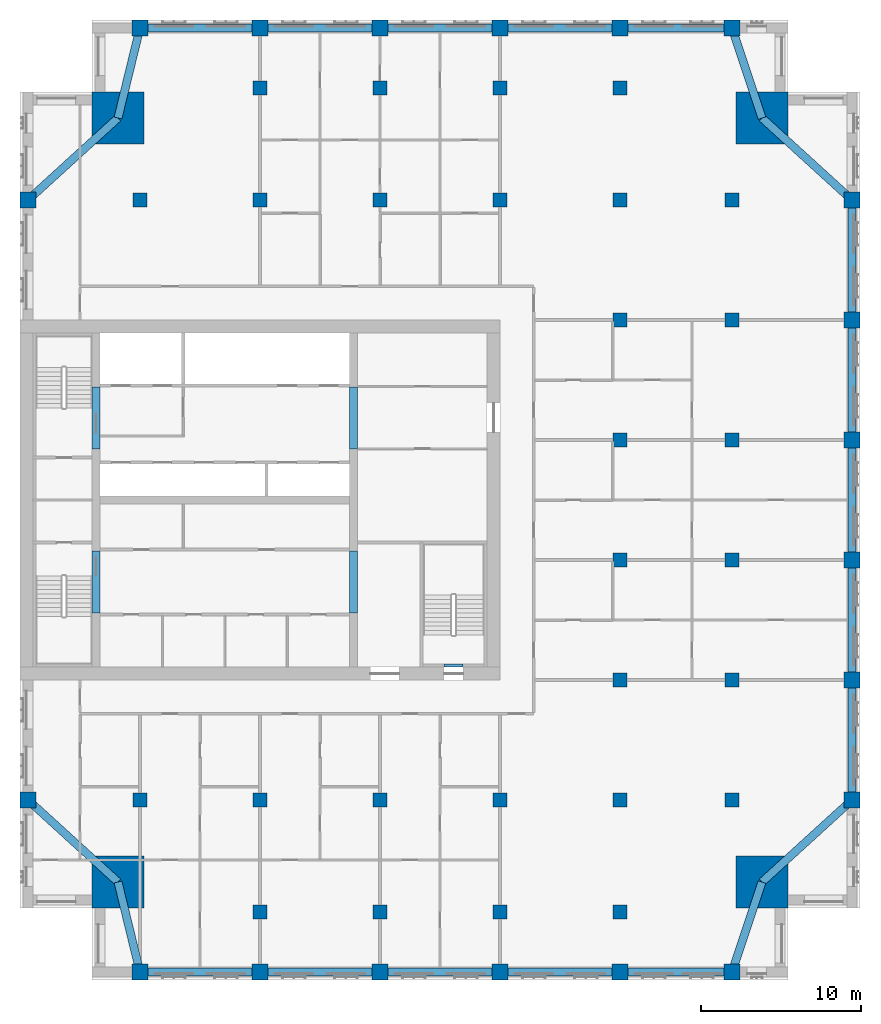
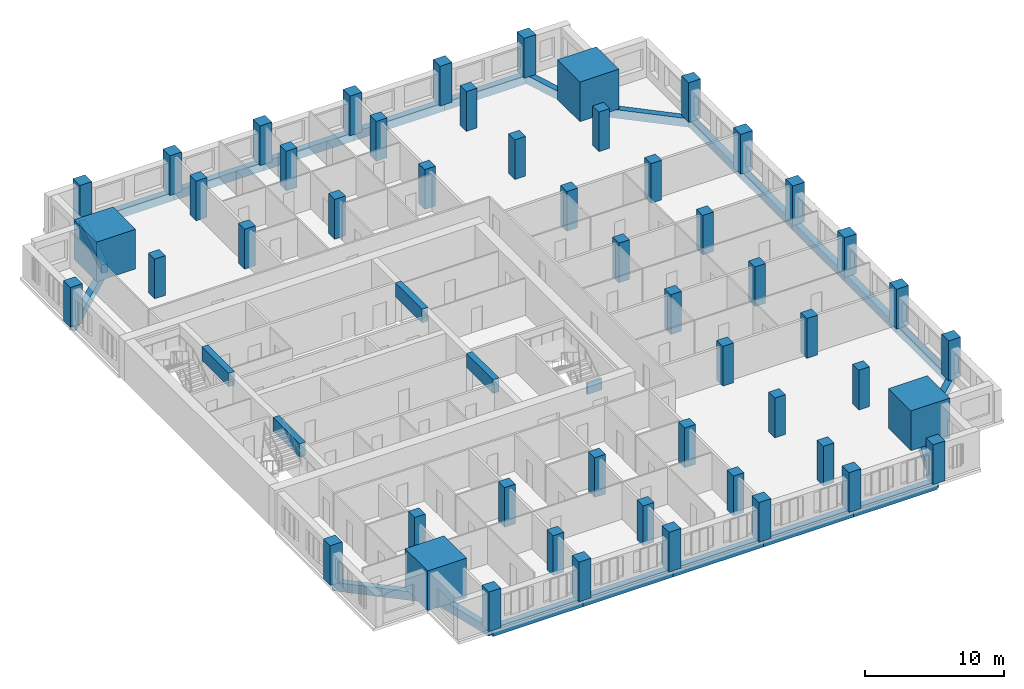
# One storey, part 1 of 14: 52 columns, 28 beams.
"""IFC4 building model written with IfcOpenShell, lengths in metres."""

from ifc_helpers import new_model, si_unit, direction, frame, origin, origin_2d, place, context, subcontext, project, spatial, rectangle, extrude, material, material_profile, profile_set, type_object, element, save


model = new_model("IFC4")

# Units and contexts
model_context = context("Model", 3, precision=1e-05, world=origin(), true_north=direction((0.0, 1.0)))
body_context = subcontext(model_context, "Body", "Model", "MODEL_VIEW")
ifc_project = project(units=[si_unit("LENGTHUNIT", "METRE"), si_unit("AREAUNIT", "SQUARE_METRE"), si_unit("VOLUMEUNIT", "CUBIC_METRE"), si_unit("PLANEANGLEUNIT", "RADIAN"), si_unit("MASSUNIT", "GRAM", prefix="KILO")], contexts=[model_context])

# Site, building, storey
site_placement = place(None, origin())
site = spatial("IfcSite", under=ifc_project, at=site_placement, CompositionType="ELEMENT")
building_placement = place(site_placement, origin())
building = spatial("IfcBuilding", under=site, at=building_placement, Name="Tamorin Gate", CompositionType="ELEMENT")
storey_placement = place(building_placement, frame((0.0, 0.0, 186.199951171875)))
storey = spatial("IfcBuildingStorey", under=building, at=storey_placement, Name="L45", CompositionType="ELEMENT", Elevation=186.199951171875)

# Columns
ifc_material_1 = material(Name="Concrete C60/75", Category="concrete")
ifc_material_profile_1 = material_profile(ifc_material_1, rectangle(XDim=1.0, YDim=1.0, at=origin_2d()), Name="RC 1000x1000")
ifc_profile_set_1 = profile_set([ifc_material_profile_1], Name="Concrete C60/75")
column_type_1 = type_object("IfcColumnType", Name="RC column 1000x1000 C60/75", PredefinedType="COLUMN", material=ifc_profile_set_1)
for number, where, z_axis, x_axis, name in (
    (1, (37.5, 41.75, 0.0), (0.0, 0.0, 1.0), (1.0, 0.0, 0.0), "Ring column L45"),
    (2, (45.0, 41.75, 0.0), (0.0, 0.0, 1.0), (1.0, 0.0, 0.0), "Ring column L45"),
    (3, (52.5, 41.75, 0.0), (0.0, 0.0, 1.0), (1.0, 0.0, 0.0), "Ring column L45"),
    (4, (60.0, 41.75, 0.0), (0.0, 0.0, 1.0), (1.0, 0.0, 0.0), "Ring column L45"),
    (5, (67.5, 41.75, 0.0), (0.0, 0.0, 1.0), (1.0, 0.0, 0.0), "Ring column L45"),
    (6, (74.5, 41.75, 0.0), (0.0, 0.0, 1.0), (1.0, 0.0, 0.0), "Ring column L45"),
    (7, (37.5, 100.75, 0.0), (0.0, 0.0, 1.0), (1.0, 0.0, 0.0), "Ring column L45"),
    (8, (45.0, 100.75, 0.0), (0.0, 0.0, 1.0), (1.0, 0.0, 0.0), "Ring column L45"),
    (9, (52.5, 100.75, 0.0), (0.0, 0.0, 1.0), (1.0, 0.0, 0.0), "Ring column L45"),
    (10, (60.0, 100.75, 0.0), (0.0, 0.0, 1.0), (1.0, 0.0, 0.0), "Ring column L45"),
    (11, (67.5, 100.75, 0.0), (0.0, 0.0, 1.0), (1.0, 0.0, 0.0), "Ring column L45"),
    (12, (74.5, 100.75, 0.0), (0.0, 0.0, 1.0), (1.0, 0.0, 0.0), "Ring column L45"),
    (13, (30.5, 52.5, 0.0), (0.0, 0.0, 1.0), (1.0, 0.0, 0.0), "Ring column L45"),
    (14, (30.5, 90.0, 0.0), (0.0, 0.0, 1.0), (1.0, 0.0, 0.0), "Ring column L45"),
    (15, (82.0, 52.5, 0.0), (0.0, 0.0, 1.0), (1.0, 0.0, 0.0), "Ring column L45"),
    (16, (82.0, 60.0, 0.0), (0.0, 0.0, 1.0), (1.0, 0.0, 0.0), "Ring column L45"),
    (17, (82.0, 67.5, 0.0), (0.0, 0.0, 1.0), (1.0, 0.0, 0.0), "Ring column L45"),
    (18, (82.0, 75.0, 0.0), (0.0, 0.0, 1.0), (1.0, 0.0, 0.0), "Ring column L45"),
    (19, (82.0, 82.5, 0.0), (0.0, 0.0, 1.0), (1.0, 0.0, 0.0), "Ring column L45"),
    (20, (82.0, 90.0, 0.0), (0.0, 0.0, 1.0), (1.0, 0.0, 0.0), "Ring column L45"),
):
    element("IfcColumn", number, at=place(storey_placement, frame(where, z_axis=z_axis, x_axis=x_axis)), inside=storey, type_object=column_type_1, Name=name, PredefinedType="COLUMN", context=body_context, shape_type="SweptSolid", body=[
        extrude(rectangle(XDim=1.0, YDim=1.0, at=origin_2d()), origin(), (0.0, 0.0, 1.0), 3.5),
    ])
ifc_material_profile_2 = material_profile(ifc_material_1, rectangle(XDim=3.25, YDim=3.25, at=origin_2d()), Name="RC 3250x3250")
ifc_profile_set_2 = profile_set([ifc_material_profile_2], Name="Concrete C60/75")
column_type_2 = type_object("IfcColumnType", Name="RC column 3250x3250 C60/75", PredefinedType="COLUMN", material=ifc_profile_set_2)
for number, where, z_axis, x_axis, name in (
    (21, (36.125, 47.375, 0.0), (0.0, 0.0, 1.0), (1.0, 0.0, 0.0), "Mega column SW L45"),
    (22, (76.375, 47.375, 0.0), (0.0, 0.0, 1.0), (1.0, 0.0, 0.0), "Mega column SE L45"),
    (23, (36.125, 95.125, 0.0), (0.0, 0.0, 1.0), (1.0, 0.0, 0.0), "Mega column NW L45"),
    (24, (76.375, 95.125, 0.0), (0.0, 0.0, 1.0), (1.0, 0.0, 0.0), "Mega column NE L45"),
):
    element("IfcColumn", number, at=place(storey_placement, frame(where, z_axis=z_axis, x_axis=x_axis)), inside=storey, type_object=column_type_2, Name=name, PredefinedType="COLUMN", context=body_context, shape_type="SweptSolid", body=[
        extrude(rectangle(XDim=3.25, YDim=3.25, at=origin_2d()), origin(), (0.0, 0.0, 1.0), 3.5),
    ])
ifc_material_profile_3 = material_profile(ifc_material_1, rectangle(XDim=0.89990234375, YDim=0.89990234375, at=origin_2d()), Name="RC 900x900")
ifc_profile_set_3 = profile_set([ifc_material_profile_3], Name="Concrete C60/75")
column_type_3 = type_object("IfcColumnType", Name="RC column 900x900 C60/75", PredefinedType="COLUMN", material=ifc_profile_set_3)
for number, where, z_axis, x_axis, name in (
    (25, (37.5, 52.5, 0.0), (0.0, 0.0, 1.0), (1.0, 0.0, 0.0), "Interior column L45"),
    (26, (37.5, 90.0, 0.0), (0.0, 0.0, 1.0), (1.0, 0.0, 0.0), "Interior column L45"),
    (27, (45.0, 45.5, 0.0), (0.0, 0.0, 1.0), (1.0, 0.0, 0.0), "Interior column L45"),
    (28, (45.0, 52.5, 0.0), (0.0, 0.0, 1.0), (1.0, 0.0, 0.0), "Interior column L45"),
    (29, (45.0, 90.0, 0.0), (0.0, 0.0, 1.0), (1.0, 0.0, 0.0), "Interior column L45"),
    (30, (45.0, 97.0, 0.0), (0.0, 0.0, 1.0), (1.0, 0.0, 0.0), "Interior column L45"),
    (31, (52.5, 45.5, 0.0), (0.0, 0.0, 1.0), (1.0, 0.0, 0.0), "Interior column L45"),
    (32, (52.5, 52.5, 0.0), (0.0, 0.0, 1.0), (1.0, 0.0, 0.0), "Interior column L45"),
    (33, (52.5, 90.0, 0.0), (0.0, 0.0, 1.0), (1.0, 0.0, 0.0), "Interior column L45"),
    (34, (52.5, 97.0, 0.0), (0.0, 0.0, 1.0), (1.0, 0.0, 0.0), "Interior column L45"),
    (35, (60.0, 45.5, 0.0), (0.0, 0.0, 1.0), (1.0, 0.0, 0.0), "Interior column L45"),
    (36, (60.0, 52.5, 0.0), (0.0, 0.0, 1.0), (1.0, 0.0, 0.0), "Interior column L45"),
    (37, (60.0, 90.0, 0.0), (0.0, 0.0, 1.0), (1.0, 0.0, 0.0), "Interior column L45"),
    (38, (60.0, 97.0, 0.0), (0.0, 0.0, 1.0), (1.0, 0.0, 0.0), "Interior column L45"),
    (39, (67.5, 45.5, 0.0), (0.0, 0.0, 1.0), (1.0, 0.0, 0.0), "Interior column L45"),
    (40, (67.5, 52.5, 0.0), (0.0, 0.0, 1.0), (1.0, 0.0, 0.0), "Interior column L45"),
    (41, (67.5, 60.0, 0.0), (0.0, 0.0, 1.0), (1.0, 0.0, 0.0), "Interior column L45"),
    (42, (67.5, 67.5, 0.0), (0.0, 0.0, 1.0), (1.0, 0.0, 0.0), "Interior column L45"),
    (43, (67.5, 75.0, 0.0), (0.0, 0.0, 1.0), (1.0, 0.0, 0.0), "Interior column L45"),
    (44, (67.5, 82.5, 0.0), (0.0, 0.0, 1.0), (1.0, 0.0, 0.0), "Interior column L45"),
    (45, (67.5, 90.0, 0.0), (0.0, 0.0, 1.0), (1.0, 0.0, 0.0), "Interior column L45"),
    (46, (67.5, 97.0, 0.0), (0.0, 0.0, 1.0), (1.0, 0.0, 0.0), "Interior column L45"),
    (47, (74.5, 52.5, 0.0), (0.0, 0.0, 1.0), (1.0, 0.0, 0.0), "Interior column L45"),
    (48, (74.5, 60.0, 0.0), (0.0, 0.0, 1.0), (1.0, 0.0, 0.0), "Interior column L45"),
    (49, (74.5, 67.5, 0.0), (0.0, 0.0, 1.0), (1.0, 0.0, 0.0), "Interior column L45"),
    (50, (74.5, 75.0, 0.0), (0.0, 0.0, 1.0), (1.0, 0.0, 0.0), "Interior column L45"),
    (51, (74.5, 82.5, 0.0), (0.0, 0.0, 1.0), (1.0, 0.0, 0.0), "Interior column L45"),
    (52, (74.5, 90.0, 0.0), (0.0, 0.0, 1.0), (1.0, 0.0, 0.0), "Interior column L45"),
):
    element("IfcColumn", number, at=place(storey_placement, frame(where, z_axis=z_axis, x_axis=x_axis)), inside=storey, type_object=column_type_3, Name=name, PredefinedType="COLUMN", context=body_context, shape_type="SweptSolid", body=[
        extrude(rectangle(XDim=0.89990234375, YDim=0.89990234375, at=origin_2d()), origin(), (0.0, 0.0, 1.0), 3.5),
    ])

# Beams
ifc_material_profile_4 = material_profile(ifc_material_1, rectangle(XDim=0.5, YDim=1.199951171875, at=origin_2d()), Name="RC 500x1200")
ifc_profile_set_4 = profile_set([ifc_material_profile_4], Name="Concrete C60/75")
beam_type_1 = type_object("IfcBeamType", Name="RC coupling beam 500x1200 C60/75", PredefinedType="BEAM", material=ifc_profile_set_4)
for number, where, z_axis, x_axis, name in (
    (53, (34.75, 64.199951171875, 2.900146484375), (0.0, 1.0, 0.0), (-1.0, 0.0, 0.0), "Coupling beam L45"),
    (54, (34.75, 74.449951171875, 2.900146484375), (0.0, 1.0, 0.0), (-1.0, 0.0, 0.0), "Coupling beam L45"),
    (55, (50.85009765625, 64.199951171875, 2.900146484375), (0.0, 1.0, 0.0), (-1.0, 0.0, 0.0), "Coupling beam L45"),
    (56, (50.85009765625, 74.449951171875, 2.900146484375), (0.0, 1.0, 0.0), (-1.0, 0.0, 0.0), "Coupling beam L45"),
):
    element("IfcBeam", number, at=place(storey_placement, frame(where, z_axis=z_axis, x_axis=x_axis)), inside=storey, type_object=beam_type_1, Name=name, PredefinedType="BEAM", context=body_context, shape_type="SweptSolid", body=[
        extrude(rectangle(XDim=0.5, YDim=1.199951171875, at=origin_2d()), origin(), (0.0, 0.0, 1.0), 3.85009765625),
    ])
ifc_material_2 = material(Name="Concrete C50/60", Category="concrete")
ifc_material_profile_5 = material_profile(ifc_material_2, rectangle(XDim=0.5, YDim=0.75, at=origin_2d()), Name="RC 500x750")
ifc_profile_set_5 = profile_set([ifc_material_profile_5], Name="Concrete C50/60")
beam_type_2 = type_object("IfcBeamType", Name="RC spandrel 500x750 C50/60", PredefinedType="BEAM", material=ifc_profile_set_5)
for number, where, z_axis, x_axis, name in (
    (57, (37.5, 41.75, -0.375), (1.0, 0.0, 0.0), (0.0, 1.0, 0.0), "Spandrel beam L45"),
    (58, (45.0, 41.75, -0.375), (1.0, 0.0, 0.0), (0.0, 1.0, 0.0), "Spandrel beam L45"),
    (59, (52.5, 41.75, -0.375), (1.0, 0.0, 0.0), (0.0, 1.0, 0.0), "Spandrel beam L45"),
    (60, (60.0, 41.75, -0.375), (1.0, 0.0, 0.0), (0.0, 1.0, 0.0), "Spandrel beam L45"),
):
    element("IfcBeam", number, at=place(storey_placement, frame(where, z_axis=z_axis, x_axis=x_axis)), inside=storey, type_object=beam_type_2, Name=name, PredefinedType="BEAM", context=body_context, shape_type="SweptSolid", body=[
        extrude(rectangle(XDim=0.5, YDim=0.75, at=origin_2d()), origin(), (0.0, 0.0, 1.0), 7.5),
    ])
beam_1_placement = place(storey_placement, frame((67.5, 41.75, -0.375), z_axis=(1.0, 0.0, 0.0), x_axis=(0.0, 1.0, 0.0)))
element("IfcBeam", 61, at=beam_1_placement, inside=storey, type_object=beam_type_2, Name="Spandrel beam L45", PredefinedType="BEAM", context=body_context, shape_type="SweptSolid", body=[
    extrude(rectangle(XDim=0.5, YDim=0.75, at=origin_2d()), origin(), (0.0, 0.0, 1.0), 7.0),
])
for number, where, z_axis, x_axis, name in (
    (62, (82.0, 52.5, -0.375), (0.0, 1.0, 0.0), (-1.0, 0.0, 0.0), "Spandrel beam L45"),
    (63, (82.0, 60.0, -0.375), (0.0, 1.0, 0.0), (-1.0, 0.0, 0.0), "Spandrel beam L45"),
    (64, (82.0, 67.5, -0.375), (0.0, 1.0, 0.0), (-1.0, 0.0, 0.0), "Spandrel beam L45"),
    (65, (82.0, 75.0, -0.375), (0.0, 1.0, 0.0), (-1.0, 0.0, 0.0), "Spandrel beam L45"),
    (66, (82.0, 82.5, -0.375), (0.0, 1.0, 0.0), (-1.0, 0.0, 0.0), "Spandrel beam L45"),
):
    element("IfcBeam", number, at=place(storey_placement, frame(where, z_axis=z_axis, x_axis=x_axis)), inside=storey, type_object=beam_type_2, Name=name, PredefinedType="BEAM", context=body_context, shape_type="SweptSolid", body=[
        extrude(rectangle(XDim=0.5, YDim=0.75, at=origin_2d()), origin(), (0.0, 0.0, 1.0), 7.5),
    ])
beam_2_placement = place(storey_placement, frame((74.5, 100.75, -0.375), z_axis=(-1.0, 0.0, 0.0), x_axis=(0.0, -1.0, 0.0)))
element("IfcBeam", 67, at=beam_2_placement, inside=storey, type_object=beam_type_2, Name="Spandrel beam L45", PredefinedType="BEAM", context=body_context, shape_type="SweptSolid", body=[
    extrude(rectangle(XDim=0.5, YDim=0.75, at=origin_2d()), origin(), (0.0, 0.0, 1.0), 7.0),
])
for number, where, z_axis, x_axis, name in (
    (68, (67.5, 100.75, -0.375), (-1.0, 0.0, 0.0), (0.0, -1.0, 0.0), "Spandrel beam L45"),
    (69, (60.0, 100.75, -0.375), (-1.0, 0.0, 0.0), (0.0, -1.0, 0.0), "Spandrel beam L45"),
    (70, (52.5, 100.75, -0.375), (-1.0, 0.0, 0.0), (0.0, -1.0, 0.0), "Spandrel beam L45"),
    (71, (45.0, 100.75, -0.375), (-1.0, 0.0, 0.0), (0.0, -1.0, 0.0), "Spandrel beam L45"),
):
    element("IfcBeam", number, at=place(storey_placement, frame(where, z_axis=z_axis, x_axis=x_axis)), inside=storey, type_object=beam_type_2, Name=name, PredefinedType="BEAM", context=body_context, shape_type="SweptSolid", body=[
        extrude(rectangle(XDim=0.5, YDim=0.75, at=origin_2d()), origin(), (0.0, 0.0, 1.0), 7.5),
    ])
beam_3_placement = place(storey_placement, frame((36.125, 47.375, -0.375), z_axis=(0.237453090477, -0.971399006497, 0.0), x_axis=(0.971399006497, 0.237453090477, 0.0)))
element("IfcBeam", 72, at=beam_3_placement, inside=storey, type_object=beam_type_2, Name="Corner tie beam L45", PredefinedType="BEAM", context=body_context, shape_type="SweptSolid", body=[
    extrude(rectangle(XDim=0.5, YDim=0.75, at=origin_2d()), origin(), (0.0, 0.0, 1.0), 5.79052734375),
])
beam_4_placement = place(storey_placement, frame((36.125, 47.375, -0.375), z_axis=(-0.739196337275, 0.673489996184, 0.0), x_axis=(-0.673489996184, -0.739196337275, 0.0)))
element("IfcBeam", 73, at=beam_4_placement, inside=storey, type_object=beam_type_2, Name="Corner tie beam L45", PredefinedType="BEAM", context=body_context, shape_type="SweptSolid", body=[
    extrude(rectangle(XDim=0.5, YDim=0.75, at=origin_2d()), origin(), (0.0, 0.0, 1.0), 7.609619140625),
])
beam_5_placement = place(storey_placement, frame((76.375, 47.375, -0.375), z_axis=(-0.316227766017, -0.948683298051, 0.0), x_axis=(0.948683298051, -0.316227766017, 0.0)))
element("IfcBeam", 74, at=beam_5_placement, inside=storey, type_object=beam_type_2, Name="Corner tie beam L45", PredefinedType="BEAM", context=body_context, shape_type="SweptSolid", body=[
    extrude(rectangle(XDim=0.5, YDim=0.75, at=origin_2d()), origin(), (0.0, 0.0, 1.0), 5.92919921875),
])
beam_6_placement = place(storey_placement, frame((76.375, 47.375, -0.375), z_axis=(0.739196337275, 0.673489996184, 0.0), x_axis=(-0.673489996184, 0.739196337275, 0.0)))
element("IfcBeam", 75, at=beam_6_placement, inside=storey, type_object=beam_type_2, Name="Corner tie beam L45", PredefinedType="BEAM", context=body_context, shape_type="SweptSolid", body=[
    extrude(rectangle(XDim=0.5, YDim=0.75, at=origin_2d()), origin(), (0.0, 0.0, 1.0), 7.609619140625),
])
beam_7_placement = place(storey_placement, frame((36.125, 95.125, -0.375), z_axis=(0.237453090477, 0.971399006497, 0.0), x_axis=(-0.971399006497, 0.237453090477, 0.0)))
element("IfcBeam", 76, at=beam_7_placement, inside=storey, type_object=beam_type_2, Name="Corner tie beam L45", PredefinedType="BEAM", context=body_context, shape_type="SweptSolid", body=[
    extrude(rectangle(XDim=0.5, YDim=0.75, at=origin_2d()), origin(), (0.0, 0.0, 1.0), 5.79052734375),
])
beam_8_placement = place(storey_placement, frame((36.125, 95.125, -0.375), z_axis=(-0.739196337275, -0.673489996184, 0.0), x_axis=(0.673489996184, -0.739196337275, 0.0)))
element("IfcBeam", 77, at=beam_8_placement, inside=storey, type_object=beam_type_2, Name="Corner tie beam L45", PredefinedType="BEAM", context=body_context, shape_type="SweptSolid", body=[
    extrude(rectangle(XDim=0.5, YDim=0.75, at=origin_2d()), origin(), (0.0, 0.0, 1.0), 7.609619140625),
])
beam_9_placement = place(storey_placement, frame((76.375, 95.125, -0.375), z_axis=(-0.316227766017, 0.948683298051, 0.0), x_axis=(-0.948683298051, -0.316227766017, 0.0)))
element("IfcBeam", 78, at=beam_9_placement, inside=storey, type_object=beam_type_2, Name="Corner tie beam L45", PredefinedType="BEAM", context=body_context, shape_type="SweptSolid", body=[
    extrude(rectangle(XDim=0.5, YDim=0.75, at=origin_2d()), origin(), (0.0, 0.0, 1.0), 5.92919921875),
])
beam_10_placement = place(storey_placement, frame((76.375, 95.125, -0.375), z_axis=(0.739196337275, -0.673489996184, 0.0), x_axis=(0.673489996184, 0.739196337275, 0.0)))
element("IfcBeam", 79, at=beam_10_placement, inside=storey, type_object=beam_type_2, Name="Corner tie beam L45", PredefinedType="BEAM", context=body_context, shape_type="SweptSolid", body=[
    extrude(rectangle(XDim=0.5, YDim=0.75, at=origin_2d()), origin(), (0.0, 0.0, 1.0), 7.609619140625),
])
ifc_material_profile_6 = material_profile(ifc_material_1, rectangle(XDim=0.199951171875, YDim=1.0, at=origin_2d()))
ifc_profile_set_6 = profile_set([ifc_material_profile_6], Name="Concrete C60/75")
beam_type_3 = type_object("IfcBeamType", Name="Stair lintel 200x1000 C60/75", PredefinedType="BEAM", material=ifc_profile_set_6)
beam_11_placement = place(storey_placement, frame((56.5, 60.89990234375, 2.699951171875), z_axis=(1.0, 0.0, 0.0), x_axis=(0.0, 1.0, 0.0)))
element("IfcBeam", 80, at=beam_11_placement, inside=storey, type_object=beam_type_3, Name="Stair lintel", PredefinedType="BEAM", context=body_context, shape_type="SweptSolid", body=[
    extrude(rectangle(XDim=0.199951171875, YDim=1.0, at=origin_2d()), origin(), (0.0, 0.0, 1.0), 1.199951171875),
])

save(model, "model.ifc")
